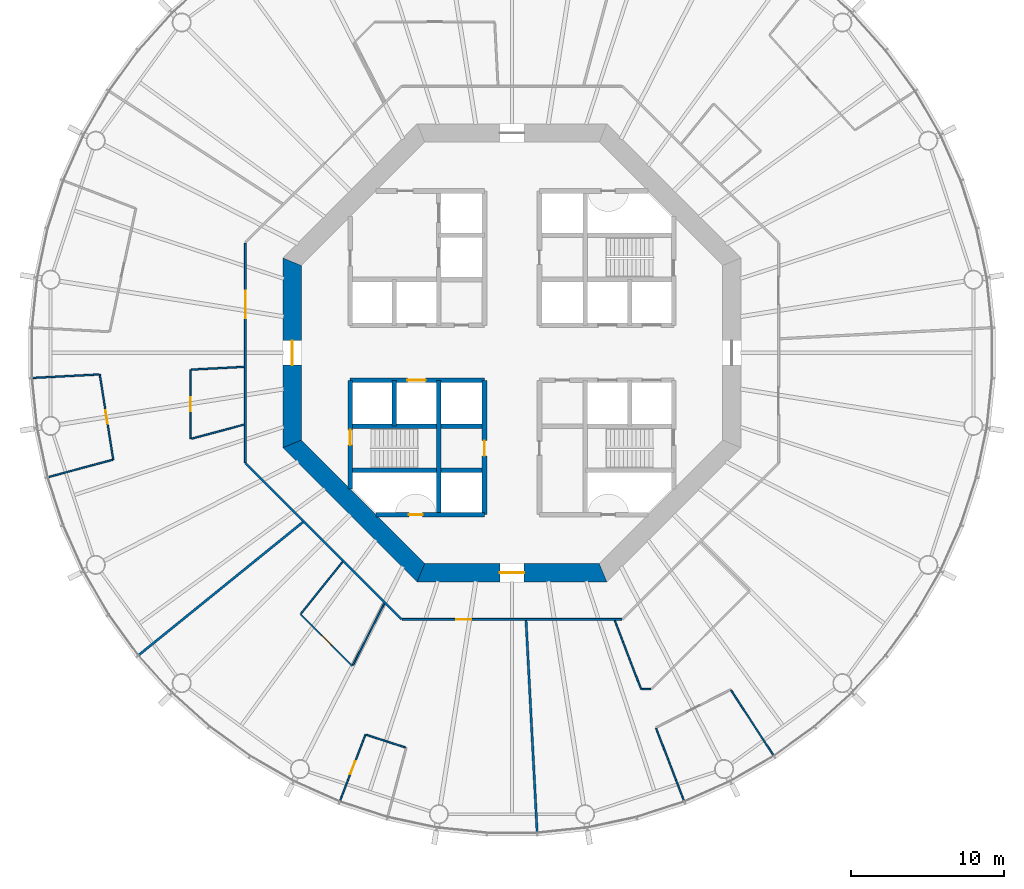
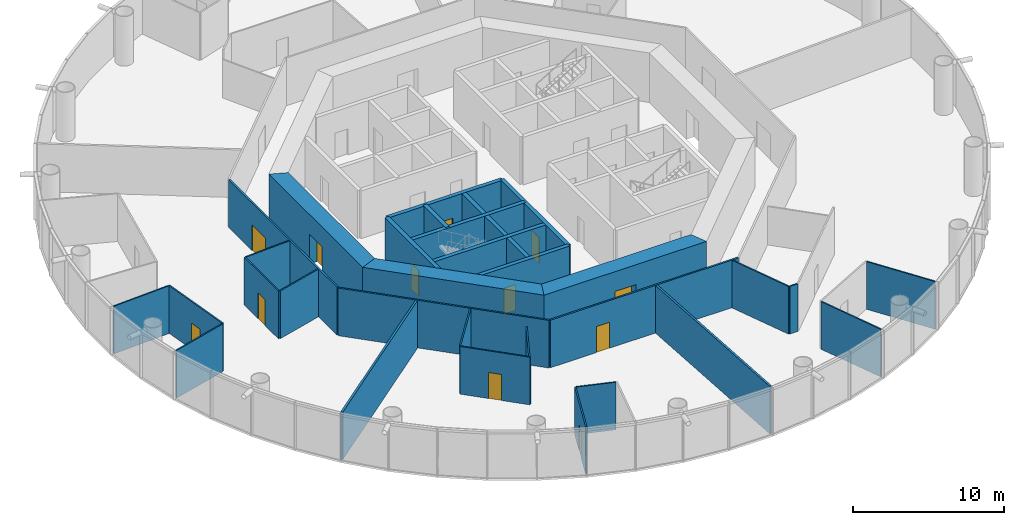
# One storey, part 3 of 13: 31 walls, 12 doors, 12 openings.
"""IFC4 building model written with IfcOpenShell, lengths in metres."""

from ifc_helpers import new_model, si_unit, direction, frame, frame_2d, origin, place, context, subcontext, project, spatial, polyline, rectangle, outline, extrude, material, layer, layer_set, type_object, element, fill, save


model = new_model("IFC4")

# Units and contexts
model_context = context("Model", 3, precision=1e-05, world=origin(), true_north=direction((0.0, 1.0)))
body_context = subcontext(model_context, "Body", "Model", "MODEL_VIEW")
ifc_project = project(units=[si_unit("LENGTHUNIT", "METRE"), si_unit("AREAUNIT", "SQUARE_METRE"), si_unit("VOLUMEUNIT", "CUBIC_METRE"), si_unit("PLANEANGLEUNIT", "RADIAN"), si_unit("MASSUNIT", "GRAM", prefix="KILO")], contexts=[model_context])

# Site, building, storey
site_placement = place(None, origin())
site = spatial("IfcSite", under=ifc_project, at=site_placement, CompositionType="ELEMENT")
building_placement = place(site_placement, origin())
building = spatial("IfcBuilding", under=site, at=building_placement, Name="Entoto Ring Tower", CompositionType="ELEMENT")
storey_placement = place(building_placement, frame((0.0, 0.0, 92.0)))
storey = spatial("IfcBuildingStorey", under=building, at=storey_placement, Name="L20", CompositionType="ELEMENT", Elevation=92.0)

# Wall, opening, door
ifc_material_1 = material(Name="Concrete C40/50", Category="concrete")
ifc_layer_1 = layer(ifc_material_1, 0.300048828125)
ifc_layer_set_1 = layer_set([ifc_layer_1], Name="Concrete C40/50")
wall_type_1 = type_object("IfcWallType", Name="Core enclosure wall 300 mm reinforced concrete", PredefinedType="SOLIDWALL", material=ifc_layer_set_1)
wall_1_placement = place(storey_placement, frame((88.199951171875, 69.39990234375, 0.0), z_axis=(0.0, 0.0, 1.0), x_axis=(0.0, 1.0, 0.0)))
wall_1 = element("IfcWall", 1, at=wall_1_placement, inside=storey, type_object=wall_type_1, Name="wall-L20-009", PredefinedType="SOLIDWALL", context=body_context, shape_type="SweptSolid", body=[
    extrude(rectangle(XDim=8.800048828125, YDim=0.300048828125, at=frame_2d((4.39990234375, 0.0))), origin(), (0.0, 0.0, 1.0), 3.85009765625),
])
opening_1_placement = place(wall_1_placement, frame((3.85009765625, 0.0, 0.0)))
opening_1 = element("IfcOpeningElement", 2, at=opening_1_placement, cuts=wall_1, Name="Opening K-13", PredefinedType="OPENING", context=body_context, shape_type="SweptSolid", body=[
    extrude(rectangle(XDim=1.0, YDim=2.10009765625, at=frame_2d((0.5, 1.050048828125))), frame((0.0, 0.16015625, 0.0), z_axis=(0.0, -1.0, 0.0), x_axis=(1.0, 0.0, 0.0)), (0.0, 0.0, 1.0), 0.320068359375),
])
ifc_material_2 = material(Name="Steel door leaf, fire rated", Category="steel")
ifc_layer_2 = layer(ifc_material_2, 0.050048828125)
ifc_layer_set_2 = layer_set([ifc_layer_2], Name="Steel door leaf, fire rated")
door_type_1 = type_object("IfcDoorType", Name="Accessible door 1000 x 2100 single leaf", OperationType="NOTDEFINED", PredefinedType="DOOR", material=ifc_layer_set_2)
door_1_placement = place(opening_1_placement, origin())
door_1 = element("IfcDoor", 3, at=door_1_placement, inside=storey, type_object=door_type_1, Name="Door K-13", OperationType="SINGLE_SWING_LEFT", OverallHeight=2.10009765625, OverallWidth=1.0, PredefinedType="DOOR", context=body_context, shape_type="SweptSolid", body=[
    extrude(rectangle(XDim=1.0, YDim=2.10009765625, at=frame_2d((0.5, 1.050048828125))), frame((0.0, 0.02490234375, 0.0), z_axis=(0.0, -1.0, 0.0), x_axis=(1.0, 0.0, 0.0)), (0.0, 0.0, 1.0), 0.050048828125),
])
fill(opening_1, door_1)

# Walls
wall_2_placement = place(storey_placement, frame((85.199951171875, 69.39990234375, 0.0), z_axis=(0.0, 0.0, 1.0), x_axis=(0.0, 1.0, 0.0)))
element("IfcWall", 4, at=wall_2_placement, inside=storey, type_object=wall_type_1, Name="wall-L20-011", PredefinedType="SOLIDWALL", context=body_context, shape_type="SweptSolid", body=[
    extrude(rectangle(XDim=8.800048828125, YDim=0.300048828125, at=frame_2d((4.39990234375, 0.0))), origin(), (0.0, 0.0, 1.0), 3.85009765625),
])
wall_3_placement = place(storey_placement, frame((82.300048828125, 75.199951171875, 0.0), z_axis=(0.0, 0.0, 1.0), x_axis=(0.0, 1.0, 0.0)))
element("IfcWall", 5, at=wall_3_placement, inside=storey, type_object=wall_type_1, Name="wall-L20-013", PredefinedType="SOLIDWALL", context=body_context, shape_type="SweptSolid", body=[
    extrude(rectangle(XDim=3.0, YDim=0.300048828125, at=frame_2d((1.5, 0.0))), origin(), (0.0, 0.0, 1.0), 3.85009765625),
])

# Wall, opening, door
wall_4_placement = place(storey_placement, frame((79.39990234375, 71.083984375, 0.0), z_axis=(0.0, 0.0, 1.0), x_axis=(0.0, 1.0, 0.0)))
wall_4 = element("IfcWall", 6, at=wall_4_placement, inside=storey, type_object=wall_type_1, Name="wall-L20-015", PredefinedType="SOLIDWALL", context=body_context, shape_type="SweptSolid", body=[
    extrude(rectangle(XDim=7.115966796875, YDim=0.300048828125, at=frame_2d((3.55810546875, 0.0))), origin(), (0.0, 0.0, 1.0), 3.85009765625),
])
opening_2_placement = place(wall_4_placement, frame((2.8662109375, 0.0, 0.0)))
opening_2 = element("IfcOpeningElement", 7, at=opening_2_placement, cuts=wall_4, Name="Opening K-17", PredefinedType="OPENING", context=body_context, shape_type="SweptSolid", body=[
    extrude(rectangle(XDim=1.0, YDim=2.10009765625, at=frame_2d((0.5, 1.050048828125))), frame((0.0, 0.16015625, 0.0), z_axis=(0.0, -1.0, 0.0), x_axis=(1.0, 0.0, 0.0)), (0.0, 0.0, 1.0), 0.320068359375),
])
ifc_material_3 = material(Name="Steel door leaf, fire rated", Category="steel")
ifc_layer_3 = layer(ifc_material_3, 0.050048828125)
ifc_layer_set_3 = layer_set([ifc_layer_3], Name="Steel door leaf, fire rated")
door_type_2 = type_object("IfcDoorType", Name="Fire door FD60 1000 x 2100 single leaf", OperationType="NOTDEFINED", PredefinedType="DOOR", material=ifc_layer_set_3)
door_2_placement = place(opening_2_placement, frame((1.0, 0.0, 0.0), z_axis=(0.0, 0.0, 1.0), x_axis=(-1.0, 0.0, 0.0)))
door_2 = element("IfcDoor", 8, at=door_2_placement, inside=storey, type_object=door_type_2, Name="Door K-17", OperationType="SINGLE_SWING_LEFT", OverallHeight=2.10009765625, OverallWidth=1.0, PredefinedType="DOOR", context=body_context, shape_type="SweptSolid", body=[
    extrude(rectangle(XDim=1.0, YDim=2.10009765625, at=frame_2d((0.5, 1.050048828125))), frame((0.0, 0.02490234375, 0.0), z_axis=(0.0, -1.0, 0.0), x_axis=(1.0, 0.0, 0.0)), (0.0, 0.0, 1.0), 0.050048828125),
])
fill(opening_2, door_2)

wall_5_placement = place(storey_placement, frame((81.083984375, 69.39990234375, 0.0), z_axis=(0.0, 0.0, 1.0), x_axis=(1.0, 0.0, 0.0)))
wall_5 = element("IfcWall", 9, at=wall_5_placement, inside=storey, type_object=wall_type_1, Name="wall-L20-017", PredefinedType="SOLIDWALL", context=body_context, shape_type="SweptSolid", body=[
    extrude(rectangle(XDim=7.115966796875, YDim=0.300048828125, at=frame_2d((3.55810546875, 0.0))), origin(), (0.0, 0.0, 1.0), 3.85009765625),
])
opening_3_placement = place(wall_5_placement, frame((2.166015625, 0.0, 0.0)))
opening_3 = element("IfcOpeningElement", 10, at=opening_3_placement, cuts=wall_5, Name="Opening K-20", PredefinedType="OPENING", context=body_context, shape_type="SweptSolid", body=[
    extrude(rectangle(XDim=0.89990234375, YDim=2.10009765625, at=frame_2d((0.449951171875, 1.050048828125))), frame((0.0, 0.16015625, 0.0), z_axis=(0.0, -1.0, 0.0), x_axis=(1.0, 0.0, 0.0)), (0.0, 0.0, 1.0), 0.320068359375),
])
ifc_material_4 = material(Name="Steel door leaf, fire rated", Category="steel")
ifc_layer_4 = layer(ifc_material_4, 0.050048828125)
ifc_layer_set_4 = layer_set([ifc_layer_4], Name="Steel door leaf, fire rated")
door_type_3 = type_object("IfcDoorType", Name="Riser door FD60 900 x 2100 single leaf", OperationType="NOTDEFINED", PredefinedType="DOOR", material=ifc_layer_set_4)
door_3_placement = place(opening_3_placement, origin())
door_3 = element("IfcDoor", 11, at=door_3_placement, inside=storey, type_object=door_type_3, Name="Door K-20", OperationType="SINGLE_SWING_RIGHT", OverallHeight=2.10009765625, OverallWidth=0.89990234375, PredefinedType="DOOR", context=body_context, shape_type="SweptSolid", body=[
    extrude(rectangle(XDim=0.89990234375, YDim=2.10009765625, at=frame_2d((0.449951171875, 1.050048828125))), frame((0.0, 0.02490234375, 0.0), z_axis=(0.0, -1.0, 0.0), x_axis=(1.0, 0.0, 0.0)), (0.0, 0.0, 1.0), 0.050048828125),
])
fill(opening_3, door_3)

# Walls
for number, where, z_axis, x_axis, name in (
    (12, (79.39990234375, 72.300048828125, 0.0), (0.0, 0.0, 1.0), (1.0, 0.0, 0.0), "wall-L20-019"),
    (13, (79.39990234375, 75.199951171875, 0.0), (0.0, 0.0, 1.0), (1.0, 0.0, 0.0), "wall-L20-021"),
):
    element("IfcWall", number, at=place(storey_placement, frame(where, z_axis=z_axis, x_axis=x_axis)), inside=storey, type_object=wall_type_1, Name=name, PredefinedType="SOLIDWALL", context=body_context, shape_type="SweptSolid", body=[
        extrude(rectangle(XDim=8.800048828125, YDim=0.300048828125, at=frame_2d((4.39990234375, 0.0))), origin(), (0.0, 0.0, 1.0), 3.85009765625),
    ])

# Wall, opening, door
wall_6_placement = place(storey_placement, frame((79.39990234375, 78.199951171875, 0.0), z_axis=(0.0, 0.0, 1.0), x_axis=(1.0, 0.0, 0.0)))
wall_6 = element("IfcWall", 14, at=wall_6_placement, inside=storey, type_object=wall_type_1, Name="wall-L20-023", PredefinedType="SOLIDWALL", context=body_context, shape_type="SweptSolid", body=[
    extrude(rectangle(XDim=8.800048828125, YDim=0.300048828125, at=frame_2d((4.39990234375, 0.0))), origin(), (0.0, 0.0, 1.0), 3.85009765625),
])
opening_4_placement = place(wall_6_placement, frame((3.75, 0.0, 0.0)))
opening_4 = element("IfcOpeningElement", 15, at=opening_4_placement, cuts=wall_6, Name="Opening LD", PredefinedType="OPENING", context=body_context, shape_type="SweptSolid", body=[
    extrude(rectangle(XDim=1.199951171875, YDim=2.10009765625, at=frame_2d((0.60009765625, 1.050048828125))), frame((0.0, 0.16015625, 0.0), z_axis=(0.0, -1.0, 0.0), x_axis=(1.0, 0.0, 0.0)), (0.0, 0.0, 1.0), 0.320068359375),
])
ifc_material_5 = material(Name="Steel and glass door leaf", Category="steel")
ifc_layer_5 = layer(ifc_material_5, 0.050048828125)
ifc_layer_set_5 = layer_set([ifc_layer_5], Name="Steel and glass door leaf")
door_type_4 = type_object("IfcDoorType", Name="Landing door 1200 x 2100 sliding", OperationType="DOUBLE_DOOR_SLIDING", PredefinedType="DOOR", material=ifc_layer_set_5)
door_4_placement = place(opening_4_placement, origin())
door_4 = element("IfcDoor", 16, at=door_4_placement, inside=storey, type_object=door_type_4, Name="Landing door LB6-LR", OperationType="SLIDING_TO_RIGHT", OverallHeight=2.10009765625, OverallWidth=1.199951171875, PredefinedType="DOOR", context=body_context, shape_type="SweptSolid", body=[
    extrude(rectangle(XDim=1.199951171875, YDim=2.10009765625, at=frame_2d((0.60009765625, 1.050048828125))), frame((0.0, 0.02490234375, 0.0), z_axis=(0.0, -1.0, 0.0), x_axis=(1.0, 0.0, 0.0)), (0.0, 0.0, 1.0), 0.050048828125),
])
fill(opening_4, door_4)

ifc_material_6 = material(Name="Concrete C60/75", Category="concrete")
ifc_layer_6 = layer(ifc_material_6, 1.199951171875)
ifc_layer_set_6 = layer_set([ifc_layer_6], Name="Concrete C60/75")
wall_type_2 = type_object("IfcWallType", Name="Core shear wall 1200 mm reinforced concrete C60/75", PredefinedType="SHEAR", material=ifc_layer_set_6)
wall_7_placement = place(storey_placement, frame((75.60009765625, 85.964599609375, 0.0), z_axis=(0.0, 0.0, 1.0), x_axis=(0.0, -1.0, 0.0)))
wall_7 = element("IfcWall", 17, at=wall_7_placement, inside=storey, type_object=wall_type_2, Name="wall-L20-core-4", PredefinedType="SHEAR", context=body_context, shape_type="SweptSolid", body=[
    extrude(outline(polyline([(-0.24853515625, -0.60009765625), (12.177734375, -0.60009765625), (11.6806640625, 0.60009765625), (0.24853515625, 0.60009765625), (-0.24853515625, -0.60009765625)])), origin(), (0.0, 0.0, 1.0), 4.0),
])
opening_5_placement = place(wall_7_placement, frame((5.164794921875, 0.0, 0.0)))
opening_5 = element("IfcOpeningElement", 18, at=opening_5_placement, cuts=wall_7, Name="Opening K-03", PredefinedType="OPENING", context=body_context, shape_type="SweptSolid", body=[
    extrude(rectangle(XDim=1.60009765625, YDim=2.39990234375, at=frame_2d((0.800048828125, 1.199951171875))), frame((0.0, 0.60986328125, 0.0), z_axis=(0.0, -1.0, 0.0), x_axis=(1.0, 0.0, 0.0)), (0.0, 0.0, 1.0), 1.219970703125),
])
ifc_material_7 = material(Name="Steel door leaf, fire rated", Category="steel")
ifc_layer_7 = layer(ifc_material_7, 0.050048828125)
ifc_layer_set_7 = layer_set([ifc_layer_7], Name="Steel door leaf, fire rated")
door_type_5 = type_object("IfcDoorType", Name="Entrance door FD60 1600 x 2400 double leaf", OperationType="DOUBLE_DOOR_SINGLE_SWING", PredefinedType="DOOR", material=ifc_layer_set_7)
door_5_placement = place(opening_5_placement, origin())
door_5 = element("IfcDoor", 19, at=door_5_placement, inside=storey, type_object=door_type_5, Name="Entrance door K-03", OperationType="DOUBLE_DOOR_SINGLE_SWING", OverallHeight=2.39990234375, OverallWidth=1.60009765625, PredefinedType="DOOR", context=body_context, shape_type="SweptSolid", body=[
    extrude(rectangle(XDim=1.60009765625, YDim=2.39990234375, at=frame_2d((0.800048828125, 1.199951171875))), frame((0.0, 0.02490234375, 0.0), z_axis=(0.0, -1.0, 0.0), x_axis=(1.0, 0.0, 0.0)), (0.0, 0.0, 1.0), 0.050048828125),
])
fill(opening_5, door_5)

# Wall
wall_8_placement = place(storey_placement, frame((75.60009765625, 74.035400390625, 0.0), z_axis=(0.0, 0.0, 1.0), x_axis=(0.707106781187, -0.707106781187, 0.0)))
element("IfcWall", 20, at=wall_8_placement, inside=storey, type_object=wall_type_2, Name="wall-L20-core-5", PredefinedType="SHEAR", context=body_context, shape_type="SweptSolid", body=[
    extrude(outline(polyline([(-0.24853515625, -0.60009765625), (12.177734375, -0.60009765625), (11.6806640625, 0.60009765625), (0.24853515625, 0.60009765625), (-0.24853515625, -0.60009765625)])), origin(), (0.0, 0.0, 1.0), 4.0),
])

# Wall, opening, door
wall_9_placement = place(storey_placement, frame((84.035400390625, 65.60009765625, 0.0), z_axis=(0.0, 0.0, 1.0), x_axis=(1.0, 0.0, 0.0)))
wall_9 = element("IfcWall", 21, at=wall_9_placement, inside=storey, type_object=wall_type_2, Name="wall-L20-core-6", PredefinedType="SHEAR", context=body_context, shape_type="SweptSolid", body=[
    extrude(outline(polyline([(-0.24853515625, -0.60009765625), (12.177734375, -0.60009765625), (11.6806640625, 0.60009765625), (0.24853515625, 0.60009765625), (-0.24853515625, -0.60009765625)])), origin(), (0.0, 0.0, 1.0), 4.0),
])
opening_6_placement = place(wall_9_placement, frame((5.164794921875, 0.0, 0.0)))
opening_6 = element("IfcOpeningElement", 22, at=opening_6_placement, cuts=wall_9, Name="Opening K-04", PredefinedType="OPENING", context=body_context, shape_type="SweptSolid", body=[
    extrude(rectangle(XDim=1.60009765625, YDim=2.39990234375, at=frame_2d((0.800048828125, 1.199951171875))), frame((0.0, 0.60986328125, 0.0), z_axis=(0.0, -1.0, 0.0), x_axis=(1.0, 0.0, 0.0)), (0.0, 0.0, 1.0), 1.219970703125),
])
door_6_placement = place(opening_6_placement, origin())
door_6 = element("IfcDoor", 23, at=door_6_placement, inside=storey, type_object=door_type_5, Name="Entrance door K-04", OperationType="DOUBLE_DOOR_SINGLE_SWING", OverallHeight=2.39990234375, OverallWidth=1.60009765625, PredefinedType="DOOR", context=body_context, shape_type="SweptSolid", body=[
    extrude(rectangle(XDim=1.60009765625, YDim=2.39990234375, at=frame_2d((0.800048828125, 1.199951171875))), frame((0.0, 0.02490234375, 0.0), z_axis=(0.0, -1.0, 0.0), x_axis=(1.0, 0.0, 0.0)), (0.0, 0.0, 1.0), 0.050048828125),
])
fill(opening_6, door_6)

# Wall
ifc_material_8 = material(Name="Fire-resisting plasterboard on steel studs", Category="steel")
ifc_layer_8 = layer(ifc_material_8, 0.125)
ifc_layer_set_8 = layer_set([ifc_layer_8], Name="Fire-resisting plasterboard on steel studs")
wall_type_3 = type_object("IfcWallType", Name="Corridor wall 125 mm one-hour plasterboard on steel studs", PredefinedType="PARTITIONING", material=ifc_layer_set_8)
wall_10_placement = place(storey_placement, frame((82.766845703125, 62.53759765625, 0.0), z_axis=(0.0, 0.0, 1.0), x_axis=(-0.707106781187, 0.707106781187, 0.0)))
element("IfcWall", 24, at=wall_10_placement, inside=storey, type_object=wall_type_3, Name="partition-L20-002", PredefinedType="PARTITIONING", context=body_context, shape_type="SweptSolid", body=[
    extrude(rectangle(XDim=14.46630859375, YDim=0.125, at=frame_2d((7.233154296875, 0.0))), origin(), (0.0, 0.0, 1.0), 3.85009765625),
])

# Wall, opening, door
wall_11_placement = place(storey_placement, frame((72.53759765625, 72.810791015625, 0.0), z_axis=(0.0, 0.0, 1.0), x_axis=(0.0, 1.0, 0.0)))
wall_11 = element("IfcWall", 25, at=wall_11_placement, inside=storey, type_object=wall_type_3, Name="partition-L20-005", PredefinedType="PARTITIONING", context=body_context, shape_type="SweptSolid", body=[
    extrude(rectangle(XDim=14.37841796875, YDim=0.125, at=frame_2d((7.189208984375, 0.0))), origin(), (0.0, 0.0, 1.0), 3.85009765625),
])
opening_7_placement = place(wall_11_placement, frame((9.4482421875, 0.0, 0.0)))
opening_7 = element("IfcOpeningElement", 26, at=opening_7_placement, cuts=wall_11, Name="Opening A09-D10", PredefinedType="OPENING", context=body_context, shape_type="SweptSolid", body=[
    extrude(rectangle(XDim=1.800048828125, YDim=2.10009765625, at=frame_2d((0.89990234375, 1.050048828125))), frame((0.0, 0.072509765625, 0.0), z_axis=(0.0, -1.0, 0.0), x_axis=(1.0, 0.0, 0.0)), (0.0, 0.0, 1.0), 0.14501953125),
])
ifc_material_9 = material(Name="Fire-resisting timber door set", Category="wood")
door_type_6 = type_object("IfcDoorType", Name="Door 1800 x 2100 double leaf FD30S fire door", OperationType="DOUBLE_DOOR_SINGLE_SWING", PredefinedType="DOOR", material=ifc_material_9)
door_7_placement = place(opening_7_placement, origin())
door_7 = element("IfcDoor", 27, at=door_7_placement, inside=storey, type_object=door_type_6, Name="Door A09-D10", OperationType="DOUBLE_DOOR_SINGLE_SWING", OverallHeight=2.10009765625, OverallWidth=1.800048828125, PredefinedType="DOOR", context=body_context, shape_type="SweptSolid", body=[
    extrude(rectangle(XDim=1.800048828125, YDim=2.10009765625, at=frame_2d((0.89990234375, 1.050048828125))), frame((0.0, 0.02490234375, 0.0), z_axis=(0.0, -1.0, 0.0), x_axis=(1.0, 0.0, 0.0)), (0.0, 0.0, 1.0), 0.050048828125),
])
fill(opening_7, door_7)

wall_12_placement = place(storey_placement, frame((82.810791015625, 62.53759765625, 0.0), z_axis=(0.0, 0.0, 1.0), x_axis=(1.0, 0.0, 0.0)))
wall_12 = element("IfcWall", 28, at=wall_12_placement, inside=storey, type_object=wall_type_3, Name="partition-L20-006", PredefinedType="PARTITIONING", context=body_context, shape_type="SweptSolid", body=[
    extrude(rectangle(XDim=14.37841796875, YDim=0.125, at=frame_2d((7.189208984375, 0.0))), origin(), (0.0, 0.0, 1.0), 3.85009765625),
])
opening_8_placement = place(wall_12_placement, frame((3.5302734375, 0.0, 0.0)))
opening_8 = element("IfcOpeningElement", 29, at=opening_8_placement, cuts=wall_12, Name="Opening A09-D14", PredefinedType="OPENING", context=body_context, shape_type="SweptSolid", body=[
    extrude(rectangle(XDim=1.0, YDim=2.10009765625, at=frame_2d((0.5, 1.050048828125))), frame((0.0, 0.072509765625, 0.0), z_axis=(0.0, -1.0, 0.0), x_axis=(1.0, 0.0, 0.0)), (0.0, 0.0, 1.0), 0.14501953125),
])
ifc_material_10 = material(Name="Fire-resisting timber door set", Category="wood")
door_type_7 = type_object("IfcDoorType", Name="Door 1000 x 2100 single leaf FD30S fire door", OperationType="NOTDEFINED", PredefinedType="DOOR", material=ifc_material_10)
door_8_placement = place(opening_8_placement, frame((1.0, 0.0, 0.0), z_axis=(0.0, 0.0, 1.0), x_axis=(-1.0, 0.0, 0.0)))
door_8 = element("IfcDoor", 30, at=door_8_placement, inside=storey, type_object=door_type_7, Name="Door A09-D14", OperationType="SINGLE_SWING_LEFT", OverallHeight=2.10009765625, OverallWidth=1.0, PredefinedType="DOOR", context=body_context, shape_type="SweptSolid", body=[
    extrude(rectangle(XDim=1.0, YDim=2.10009765625, at=frame_2d((0.5, 1.050048828125))), frame((0.0, 0.02490234375, 0.0), z_axis=(0.0, -1.0, 0.0), x_axis=(1.0, 0.0, 0.0)), (0.0, 0.0, 1.0), 0.050048828125),
])
fill(opening_8, door_8)

ifc_material_11 = material(Name="Plasterboard on steel studs", Category="steel")
ifc_layer_9 = layer(ifc_material_11, 0.10009765625)
ifc_layer_set_9 = layer_set([ifc_layer_9], Name="Plasterboard on steel studs")
wall_type_4 = type_object("IfcWallType", Name="Partition 100 mm plasterboard on steel studs", PredefinedType="PARTITIONING", material=ifc_layer_set_9)
wall_13_placement = place(storey_placement, frame((63.88134765625, 73.00146484375, 0.0), z_axis=(0.0, 0.0, 1.0), x_axis=(-0.156430514492, 0.987688966292, 0.0)))
wall_13 = element("IfcWall", 31, at=wall_13_placement, inside=storey, type_object=wall_type_4, Name="partition-L20-018", PredefinedType="PARTITIONING", context=body_context, shape_type="SweptSolid", body=[
    extrude(rectangle(XDim=5.65283203125, YDim=0.10009765625, at=frame_2d((2.826416015625, 0.0))), origin(), (0.0, 0.0, 1.0), 3.85009765625),
])
opening_9_placement = place(wall_13_placement, frame((2.37646484375, 0.0, 0.0)))
opening_9 = element("IfcOpeningElement", 32, at=opening_9_placement, cuts=wall_13, Name="Opening A09-D13", PredefinedType="OPENING", context=body_context, shape_type="SweptSolid", body=[
    extrude(rectangle(XDim=0.89990234375, YDim=2.10009765625, at=frame_2d((0.449951171875, 1.050048828125))), frame((0.0, 0.06005859375, 0.0), z_axis=(0.0, -1.0, 0.0), x_axis=(1.0, 0.0, 0.0)), (0.0, 0.0, 1.0), 0.1201171875),
])
ifc_material_12 = material(Name="Veneered timber door leaf in timber frame", Category="wood")
door_type_8 = type_object("IfcDoorType", Name="Door 900 x 2100 single leaf timber veneer", OperationType="NOTDEFINED", PredefinedType="DOOR", material=ifc_material_12)
door_9_placement = place(opening_9_placement, origin())
door_9 = element("IfcDoor", 33, at=door_9_placement, inside=storey, type_object=door_type_8, Name="Door A09-D13", OperationType="SINGLE_SWING_LEFT", OverallHeight=2.10009765625, OverallWidth=0.89990234375, PredefinedType="DOOR", context=body_context, shape_type="SweptSolid", body=[
    extrude(rectangle(XDim=0.89990234375, YDim=2.10009765625, at=frame_2d((0.449951171875, 1.050048828125))), frame((0.0, 0.02490234375, 0.0), z_axis=(0.0, -1.0, 0.0), x_axis=(1.0, 0.0, 0.0)), (0.0, 0.0, 1.0), 0.050048828125),
])
fill(opening_9, door_9)

# Walls
wall_14_placement = place(storey_placement, frame((101.26708984375, 50.648193359375, 0.0), z_axis=(0.0, 0.0, 1.0), x_axis=(-0.358371567867, 0.933579037545, 0.0)))
element("IfcWall", 34, at=wall_14_placement, inside=storey, type_object=wall_type_4, Name="partition-L20-020", PredefinedType="PARTITIONING", context=body_context, shape_type="SweptSolid", body=[
    extrude(rectangle(XDim=5.09033203125, YDim=0.10009765625, at=frame_2d((2.545166015625, 0.0))), origin(), (0.0, 0.0, 1.0), 3.85009765625),
])
wall_15_placement = place(storey_placement, frame((107.12353515625, 53.632080078125, 0.0), z_axis=(0.0, 0.0, 1.0), x_axis=(-0.544632605998, 0.838674742963, 0.0)))
element("IfcWall", 35, at=wall_15_placement, inside=storey, type_object=wall_type_4, Name="partition-L20-021", PredefinedType="PARTITIONING", context=body_context, shape_type="SweptSolid", body=[
    extrude(rectangle(XDim=5.090576171875, YDim=0.10009765625, at=frame_2d((2.54541015625, 0.0))), origin(), (0.0, 0.0, 1.0), 3.85009765625),
])
wall_16_placement = place(storey_placement, frame((98.45751953125, 57.967529296875, 0.0), z_axis=(0.0, 0.0, 1.0), x_axis=(-0.358400708391, 0.933567850895, 0.0)))
element("IfcWall", 36, at=wall_16_placement, inside=storey, type_object=wall_type_4, Name="partition-L20-024", PredefinedType="PARTITIONING", context=body_context, shape_type="SweptSolid", body=[
    extrude(rectangle(XDim=4.809326171875, YDim=0.10009765625, at=frame_2d((2.40478515625, 0.0))), origin(), (0.0, 0.0, 1.0), 3.85009765625),
])

# Wall, opening, door
wall_17_placement = place(storey_placement, frame((79.544921875, 59.48046875, 0.0), z_axis=(0.0, 0.0, 1.0), x_axis=(-0.707132135057, 0.707081426407, 0.0)))
wall_17 = element("IfcWall", 37, at=wall_17_placement, inside=storey, type_object=wall_type_4, Name="partition-L20-027", PredefinedType="PARTITIONING", context=body_context, shape_type="SweptSolid", body=[
    extrude(rectangle(XDim=4.814697265625, YDim=0.10009765625, at=frame_2d((2.4072265625, 0.0))), origin(), (0.0, 0.0, 1.0), 3.85009765625),
])
opening_10_placement = place(wall_17_placement, frame((1.957275390625, 0.0, 0.0)))
opening_10 = element("IfcOpeningElement", 38, at=opening_10_placement, cuts=wall_17, Name="Opening A09-D15", PredefinedType="OPENING", context=body_context, shape_type="SweptSolid", body=[
    extrude(rectangle(XDim=0.89990234375, YDim=2.10009765625, at=frame_2d((0.449951171875, 1.050048828125))), frame((0.0, 0.06005859375, 0.0), z_axis=(0.0, -1.0, 0.0), x_axis=(1.0, 0.0, 0.0)), (0.0, 0.0, 1.0), 0.1201171875),
])
door_10_placement = place(opening_10_placement, frame((0.89990234375, 0.0, 0.0), z_axis=(0.0, 0.0, 1.0), x_axis=(-1.0, 0.0, 0.0)))
door_10 = element("IfcDoor", 39, at=door_10_placement, inside=storey, type_object=door_type_8, Name="Door A09-D15", OperationType="SINGLE_SWING_RIGHT", OverallHeight=2.10009765625, OverallWidth=0.89990234375, PredefinedType="DOOR", context=body_context, shape_type="SweptSolid", body=[
    extrude(rectangle(XDim=0.89990234375, YDim=2.10009765625, at=frame_2d((0.449951171875, 1.050048828125))), frame((0.0, 0.02490234375, 0.0), z_axis=(0.0, -1.0, 0.0), x_axis=(1.0, 0.0, 0.0)), (0.0, 0.0, 1.0), 0.050048828125),
])
fill(opening_10, door_10)

wall_18_placement = place(storey_placement, frame((78.73291015625, 50.648193359375, 0.0), z_axis=(0.0, 0.0, 1.0), x_axis=(0.358347077335, 0.93358843832, 0.0)))
wall_18 = element("IfcWall", 40, at=wall_18_placement, inside=storey, type_object=wall_type_4, Name="partition-L20-030", PredefinedType="PARTITIONING", context=body_context, shape_type="SweptSolid", body=[
    extrude(rectangle(XDim=4.66015625, YDim=0.10009765625, at=frame_2d((2.330078125, 0.0))), origin(), (0.0, 0.0, 1.0), 3.85009765625),
])
opening_11_placement = place(wall_18_placement, frame((1.8798828125, 0.0, 0.0)))
opening_11 = element("IfcOpeningElement", 41, at=opening_11_placement, cuts=wall_18, Name="Opening A09-D16", PredefinedType="OPENING", context=body_context, shape_type="SweptSolid", body=[
    extrude(rectangle(XDim=0.89990234375, YDim=2.10009765625, at=frame_2d((0.449951171875, 1.050048828125))), frame((0.0, 0.06005859375, 0.0), z_axis=(0.0, -1.0, 0.0), x_axis=(1.0, 0.0, 0.0)), (0.0, 0.0, 1.0), 0.1201171875),
])
door_11_placement = place(opening_11_placement, frame((0.89990234375, 0.0, 0.0), z_axis=(0.0, 0.0, 1.0), x_axis=(-1.0, 0.0, 0.0)))
door_11 = element("IfcDoor", 42, at=door_11_placement, inside=storey, type_object=door_type_8, Name="Door A09-D16", OperationType="SINGLE_SWING_RIGHT", OverallHeight=2.10009765625, OverallWidth=0.89990234375, PredefinedType="DOOR", context=body_context, shape_type="SweptSolid", body=[
    extrude(rectangle(XDim=0.89990234375, YDim=2.10009765625, at=frame_2d((0.449951171875, 1.050048828125))), frame((0.0, 0.02490234375, 0.0), z_axis=(0.0, -1.0, 0.0), x_axis=(1.0, 0.0, 0.0)), (0.0, 0.0, 1.0), 0.050048828125),
])
fill(opening_11, door_11)

wall_19_placement = place(storey_placement, frame((68.947509765625, 74.35888671875, 0.0), z_axis=(0.0, 0.0, 1.0), x_axis=(0.0, 1.0, 0.0)))
wall_19 = element("IfcWall", 43, at=wall_19_placement, inside=storey, type_object=wall_type_4, Name="partition-L20-034", PredefinedType="PARTITIONING", context=body_context, shape_type="SweptSolid", body=[
    extrude(rectangle(XDim=4.537841796875, YDim=0.10009765625, at=frame_2d((2.26904296875, 0.0))), origin(), (0.0, 0.0, 1.0), 3.85009765625),
])
opening_12_placement = place(wall_19_placement, frame((1.81884765625, 0.0, 0.0)))
opening_12 = element("IfcOpeningElement", 44, at=opening_12_placement, cuts=wall_19, Name="Opening A09-D11", PredefinedType="OPENING", context=body_context, shape_type="SweptSolid", body=[
    extrude(rectangle(XDim=0.89990234375, YDim=2.10009765625, at=frame_2d((0.449951171875, 1.050048828125))), frame((0.0, 0.06005859375, 0.0), z_axis=(0.0, -1.0, 0.0), x_axis=(1.0, 0.0, 0.0)), (0.0, 0.0, 1.0), 0.1201171875),
])
door_12_placement = place(opening_12_placement, frame((0.89990234375, 0.0, 0.0), z_axis=(0.0, 0.0, 1.0), x_axis=(-1.0, 0.0, 0.0)))
door_12 = element("IfcDoor", 45, at=door_12_placement, inside=storey, type_object=door_type_8, Name="Door A09-D11", OperationType="SINGLE_SWING_RIGHT", OverallHeight=2.10009765625, OverallWidth=0.89990234375, PredefinedType="DOOR", context=body_context, shape_type="SweptSolid", body=[
    extrude(rectangle(XDim=0.89990234375, YDim=2.10009765625, at=frame_2d((0.449951171875, 1.050048828125))), frame((0.0, 0.02490234375, 0.0), z_axis=(0.0, -1.0, 0.0), x_axis=(1.0, 0.0, 0.0)), (0.0, 0.0, 1.0), 0.050048828125),
])
fill(opening_12, door_12)

# Walls
wall_20_placement = place(storey_placement, frame((76.171630859375, 62.92333984375, 0.0), z_axis=(0.0, 0.0, 1.0), x_axis=(0.629287090395, 0.777172926615, 0.0)))
element("IfcWall", 46, at=wall_20_placement, inside=storey, type_object=wall_type_4, Name="partition-L20-035", PredefinedType="PARTITIONING", context=body_context, shape_type="SweptSolid", body=[
    extrude(rectangle(XDim=4.3466796875, YDim=0.10009765625, at=frame_2d((2.17333984375, 0.0))), origin(), (0.0, 0.0, 1.0), 3.85009765625),
])
for number, where, z_axis, x_axis, name in (
    (47, (59.63134765625, 71.86279296875, 0.0), (0.0, 0.0, 1.0), (0.965925005542, 0.258822108155, 0.0), "partition-L20-037"),
    (48, (58.60302734375, 78.3544921875, 0.0), (0.0, 0.0, 1.0), (0.99862835084, 0.0523585418, 0.0), "partition-L20-038"),
):
    element("IfcWall", number, at=place(storey_placement, frame(where, z_axis=z_axis, x_axis=x_axis)), inside=storey, type_object=wall_type_4, Name=name, PredefinedType="PARTITIONING", context=body_context, shape_type="SweptSolid", body=[
        extrude(rectangle(XDim=4.350341796875, YDim=0.10009765625, at=frame_2d((2.17529296875, 0.0))), origin(), (0.0, 0.0, 1.0), 3.85009765625),
    ])
wall_21_placement = place(storey_placement, frame((69.01025390625, 74.375732421875, 0.0), z_axis=(0.0, 0.0, 1.0), x_axis=(0.965917860746, 0.258848771085, 0.0)))
element("IfcWall", 49, at=wall_21_placement, inside=storey, type_object=wall_type_4, Name="partition-L20-041", PredefinedType="PARTITIONING", context=body_context, shape_type="SweptSolid", body=[
    extrude(rectangle(XDim=3.57373046875, YDim=0.10009765625, at=frame_2d((1.786865234375, 0.0))), origin(), (0.0, 0.0, 1.0), 3.85009765625),
])
wall_22_placement = place(storey_placement, frame((68.997314453125, 78.8994140625, 0.0), z_axis=(0.0, 0.0, 1.0), x_axis=(0.998633097748, 0.052267925939, 0.0)))
element("IfcWall", 50, at=wall_22_placement, inside=storey, type_object=wall_type_4, Name="partition-L20-042", PredefinedType="PARTITIONING", context=body_context, shape_type="SweptSolid", body=[
    extrude(rectangle(XDim=3.479736328125, YDim=0.10009765625, at=frame_2d((1.73974609375, 0.0))), origin(), (0.0, 0.0, 1.0), 3.85009765625),
])
wall_23_placement = place(storey_placement, frame((83.021240234375, 54.14794921875, 0.0), z_axis=(0.0, 0.0, 1.0), x_axis=(-0.951040705732, 0.309065650049, 0.0)))
element("IfcWall", 51, at=wall_23_placement, inside=storey, type_object=wall_type_4, Name="partition-L20-045", PredefinedType="PARTITIONING", context=body_context, shape_type="SweptSolid", body=[
    extrude(rectangle(XDim=2.703125, YDim=0.10009765625, at=frame_2d((1.3515625, 0.0))), origin(), (0.0, 0.0, 1.0), 3.85009765625),
])
wall_24_placement = place(storey_placement, frame((98.50390625, 57.967529296875, 0.0), z_axis=(0.0, 0.0, 1.0), x_axis=(1.0, 0.0, 0.0)))
element("IfcWall", 52, at=wall_24_placement, inside=storey, type_object=wall_type_4, Name="partition-L20-048", PredefinedType="PARTITIONING", context=body_context, shape_type="SweptSolid", body=[
    extrude(rectangle(XDim=0.587158203125, YDim=0.10009765625, at=frame_2d((0.29345703125, 0.0))), origin(), (0.0, 0.0, 1.0), 3.85009765625),
])
ifc_material_13 = material(Name="Plasterboard on steel studs", Category="steel")
ifc_layer_10 = layer(ifc_material_13, 0.10009765625)
ifc_layer_set_10 = layer_set([ifc_layer_10], Name="Plasterboard on steel studs")
wall_type_5 = type_object("IfcWallType", Name="Partition 100 mm plasterboard on steel studs, 3097 mm high", PredefinedType="PARTITIONING", material=ifc_layer_set_10)
wall_25_placement = place(storey_placement, frame((79.575927734375, 59.54150390625, 0.0), z_axis=(0.0, 0.0, 1.0), x_axis=(0.454009154691, 0.89099701877, 0.0)))
element("IfcWall", 53, at=wall_25_placement, inside=storey, type_object=wall_type_5, Name="partition-L20-028", PredefinedType="PARTITIONING", context=body_context, shape_type="SweptSolid", body=[
    extrude(rectangle(XDim=4.51806640625, YDim=0.10009765625, at=frame_2d((2.259033203125, 0.0))), origin(), (0.0, 0.0, 1.0), 3.096923828125),
])
ifc_material_14 = material(Name="Fire-resisting acoustic plasterboard on steel studs", Category="steel")
ifc_layer_11 = layer(ifc_material_14, 0.14990234375)
ifc_layer_set_11 = layer_set([ifc_layer_11], Name="Fire-resisting acoustic plasterboard on steel studs")
wall_type_6 = type_object("IfcWallType", Name="Party wall 150 mm one-hour acoustic plasterboard on steel studs", PredefinedType="PARTITIONING", material=ifc_layer_set_11)
wall_26_placement = place(storey_placement, frame((91.6455078125, 48.60302734375, 0.0), z_axis=(0.0, 0.0, 1.0), x_axis=(-0.052336456006, 0.998629508563, 0.0)))
element("IfcWall", 54, at=wall_26_placement, inside=storey, type_object=wall_type_6, Name="partition-L20-009", PredefinedType="PARTITIONING", context=body_context, shape_type="SweptSolid", body=[
    extrude(rectangle(XDim=13.88720703125, YDim=0.14990234375, at=frame_2d((6.943603515625, 0.0))), origin(), (0.0, 0.0, 1.0), 3.85009765625),
])
wall_27_placement = place(storey_placement, frame((65.56640625, 60.214111328125, 0.0), z_axis=(0.0, 0.0, 1.0), x_axis=(0.777143589664, 0.629323319959, 0.0)))
element("IfcWall", 55, at=wall_27_placement, inside=storey, type_object=wall_type_6, Name="partition-L20-011", PredefinedType="PARTITIONING", context=body_context, shape_type="SweptSolid", body=[
    extrude(rectangle(XDim=13.810791015625, YDim=0.14990234375, at=frame_2d((6.9052734375, 0.0))), origin(), (0.0, 0.0, 1.0), 3.85009765625),
])

save(model, "model.ifc")
